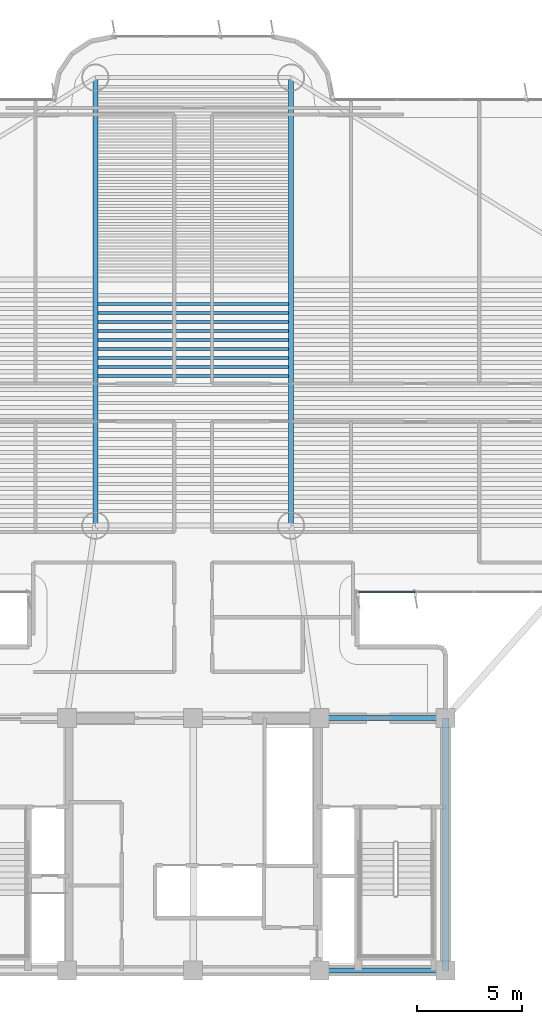
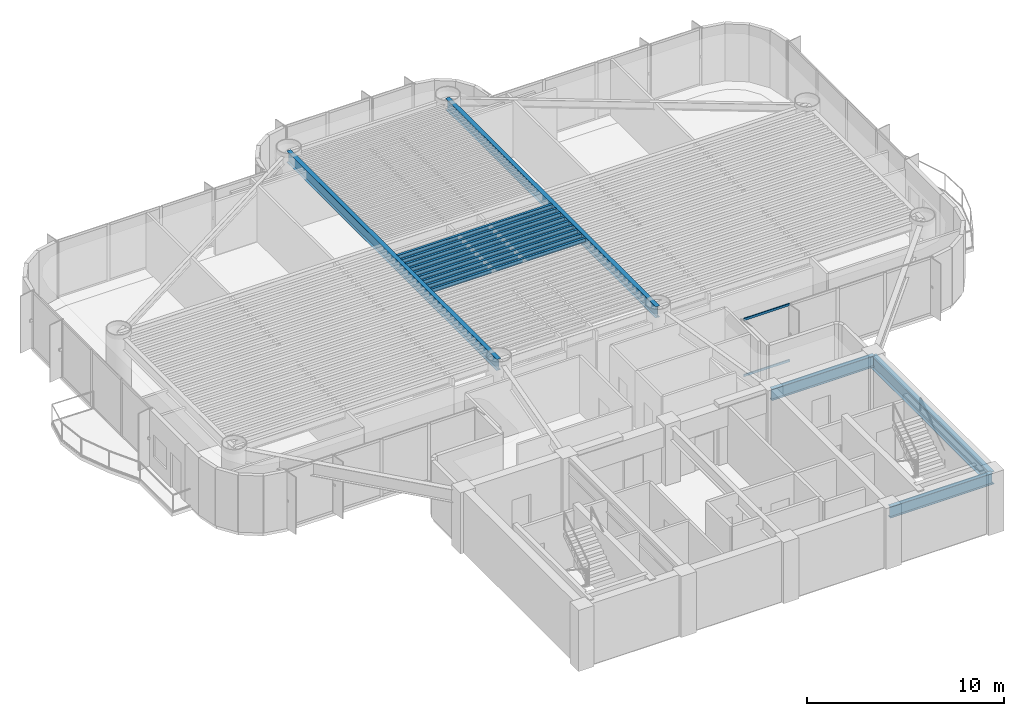
# One storey, part 3 of 16: 14 beams, 2 members, 1 element without a shape of its own.
"""IFC4 building model written with IfcOpenShell, lengths in metres."""

from ifc_helpers import new_model, si_unit, direction, frame, origin, origin_2d, place, context, subcontext, project, spatial, rectangle, i_section, extrude, source, transform, mapped, material, layer, layer_set, material_profile, profile_set, type_object, element, aggregate, save


model = new_model("IFC4")

# Units and contexts
model_context = context("Model", 3, precision=1e-05, world=origin(), true_north=direction((0.0, 1.0)))
body_context = subcontext(model_context, "Body", "Model", "MODEL_VIEW")
ifc_project = project(units=[si_unit("LENGTHUNIT", "METRE"), si_unit("AREAUNIT", "SQUARE_METRE"), si_unit("VOLUMEUNIT", "CUBIC_METRE"), si_unit("PLANEANGLEUNIT", "RADIAN"), si_unit("MASSUNIT", "GRAM", prefix="KILO")], contexts=[model_context])

# Site, building, storey
site_placement = place(None, origin())
site = spatial("IfcSite", under=ifc_project, at=site_placement, CompositionType="ELEMENT")
building_placement = place(site_placement, origin())
building = spatial("IfcBuilding", under=site, at=building_placement, Name="Brelvock Crest Care Tower", CompositionType="ELEMENT")
storey_placement = place(building_placement, frame((0.0, 0.0, 112.5)))
storey = spatial("IfcBuildingStorey", under=building, at=storey_placement, Name="L28", CompositionType="ELEMENT", Elevation=112.5)

# Beams
ifc_material_1 = material(Name="Steel Grade 350", Category="steel")
ifc_material_profile_1 = material_profile(ifc_material_1, i_section(OverallWidth=0.25, OverallDepth=0.699951171875, WebThickness=0.011962890625, FlangeThickness=0.02001953125, at=origin_2d()), Name="700WB150")
ifc_profile_set_1 = profile_set([ifc_material_profile_1], Name="Steel Grade 350")
beam_type_1 = type_object("IfcBeamType", Name="BM-G4", PredefinedType="BEAM", material=ifc_profile_set_1)
shared_shape_1 = source(origin(), body_context, "Body", "SweptSolid", [
    extrude(i_section(OverallWidth=0.25, OverallDepth=0.699951171875, WebThickness=0.011962890625, FlangeThickness=0.02001953125, at=origin_2d()), origin(), (0.0, 0.0, 1.0), 6.0),
])
for number, where, z_axis, x_axis, name in (
    (1, (42.0, 6.0, 3.179931640625), (1.0, 0.0, 0.0), (0.0, 1.0, 0.0), "BM-CORES-L28-4"),
    (2, (42.0, 18.0, 3.179931640625), (1.0, 0.0, 0.0), (0.0, 1.0, 0.0), "BM-COREN-L28-4"),
):
    element("IfcBeam", number, at=place(storey_placement, frame(where, z_axis=z_axis, x_axis=x_axis)), inside=storey, type_object=beam_type_1, Name=name, PredefinedType="BEAM", context=body_context, shape_type="MappedRepresentation", body=[
        mapped(shared_shape_1, transform((0.0, 0.0, 0.0), x_axis=(1.0, 0.0, 0.0), y_axis=(0.0, 1.0, 0.0), z_axis=(0.0, 0.0, 1.0), scale=1.0)),
    ])
ifc_material_profile_2 = material_profile(ifc_material_1, i_section(OverallWidth=0.300048828125, OverallDepth=0.800048828125, WebThickness=0.013916015625, FlangeThickness=0.02197265625, at=origin_2d()), Name="800WB192")
ifc_profile_set_2 = profile_set([ifc_material_profile_2], Name="Steel Grade 350")
beam_type_2 = type_object("IfcBeamType", Name="BM-G5", PredefinedType="BEAM", material=ifc_profile_set_2)
shared_shape_2 = source(origin(), body_context, "Body", "SweptSolid", [
    extrude(i_section(OverallWidth=0.300048828125, OverallDepth=0.800048828125, WebThickness=0.013916015625, FlangeThickness=0.02197265625, at=origin_2d()), origin(), (0.0, 0.0, 1.0), 12.0),
])
beam_placement = place(storey_placement, frame((48.0, 6.0, 3.1298828125), z_axis=(0.0, 1.0, 0.0), x_axis=(-1.0, 0.0, 0.0)))
element("IfcBeam", 3, at=beam_placement, inside=storey, type_object=beam_type_2, Name="BM-COREX-L28-5", PredefinedType="BEAM", context=body_context, shape_type="MappedRepresentation", body=[
    mapped(shared_shape_2, transform((0.0, 0.0, 0.0), x_axis=(1.0, 0.0, 0.0), y_axis=(0.0, 1.0, 0.0), z_axis=(0.0, 0.0, 1.0), scale=1.0)),
])
ifc_material_profile_3 = material_profile(ifc_material_1, i_section(OverallWidth=0.14599609375, OverallDepth=0.256103515625, WebThickness=0.00634765625, FlangeThickness=0.010986328125, FilletRadius=0.0087890625, at=origin_2d()), Name="250UB37.3")
ifc_profile_set_3 = profile_set([ifc_material_profile_3], Name="Steel Grade 350")
beam_type_3 = type_object("IfcBeamType", Name="BM-J3", PredefinedType="JOIST", material=ifc_profile_set_3)
shared_shape_3 = source(origin(), body_context, "Body", "SweptSolid", [
    extrude(i_section(OverallWidth=0.14599609375, OverallDepth=0.256103515625, WebThickness=0.00634765625, FlangeThickness=0.010986328125, FilletRadius=0.0087890625, at=origin_2d()), origin(), (0.0, 0.0, 1.0), 9.06982421875),
])
for number, where, z_axis, x_axis, name in (
    (4, (31.465087890625, 34.2607421875, 3.402099609375), (1.0, 0.0, 0.0), (0.0, 1.0, 0.0), "BM-JH-L28-16"),
    (5, (31.465087890625, 34.687744140625, 3.402099609375), (1.0, 0.0, 0.0), (0.0, 1.0, 0.0), "BM-JH-L28-17"),
    (6, (31.465087890625, 35.11474609375, 3.402099609375), (1.0, 0.0, 0.0), (0.0, 1.0, 0.0), "BM-JH-L28-18"),
    (7, (31.465087890625, 35.541748046875, 3.402099609375), (1.0, 0.0, 0.0), (0.0, 1.0, 0.0), "BM-JH-L28-19"),
    (8, (31.465087890625, 35.96875, 3.402099609375), (1.0, 0.0, 0.0), (0.0, 1.0, 0.0), "BM-JH-L28-20"),
    (9, (31.465087890625, 36.39599609375, 3.402099609375), (1.0, 0.0, 0.0), (0.0, 1.0, 0.0), "BM-JH-L28-21"),
    (10, (31.465087890625, 36.822998046875, 3.402099609375), (1.0, 0.0, 0.0), (0.0, 1.0, 0.0), "BM-JH-L28-22"),
    (11, (31.465087890625, 37.25, 3.402099609375), (1.0, 0.0, 0.0), (0.0, 1.0, 0.0), "BM-JH-L28-23"),
    (12, (31.465087890625, 37.677001953125, 3.402099609375), (1.0, 0.0, 0.0), (0.0, 1.0, 0.0), "BM-JH-L28-24"),
):
    element("IfcBeam", number, at=place(storey_placement, frame(where, z_axis=z_axis, x_axis=x_axis)), inside=storey, type_object=beam_type_3, Name=name, PredefinedType="JOIST", context=body_context, shape_type="MappedRepresentation", body=[
        mapped(shared_shape_3, transform((0.0, 0.0, 0.0), x_axis=(1.0, 0.0, 0.0), y_axis=(0.0, 1.0, 0.0), z_axis=(0.0, 0.0, 1.0), scale=1.0)),
    ])
shared_shape_4 = source(origin(), body_context, "Body", "SweptSolid", [
    extrude(i_section(OverallWidth=0.25, OverallDepth=0.699951171875, WebThickness=0.011962890625, FlangeThickness=0.02001953125, at=origin_2d()), origin(), (0.0, 0.0, 1.0), 21.300048828125),
])
for number, where, z_axis, x_axis, name in (
    (13, (31.35009765625, 27.14990234375, 3.179931640625), (0.0, 1.0, 0.0), (-1.0, 0.0, 0.0), "BM-TWR-L28-09"),
    (14, (40.64990234375, 27.14990234375, 3.179931640625), (0.0, 1.0, 0.0), (-1.0, 0.0, 0.0), "BM-TWR-L28-10"),
):
    element("IfcBeam", number, at=place(storey_placement, frame(where, z_axis=z_axis, x_axis=x_axis)), inside=storey, type_object=beam_type_1, Name=name, PredefinedType="BEAM", context=body_context, shape_type="MappedRepresentation", body=[
        mapped(shared_shape_4, transform((0.0, 0.0, 0.0), x_axis=(1.0, 0.0, 0.0), y_axis=(0.0, 1.0, 0.0), z_axis=(0.0, 0.0, 1.0), scale=1.0)),
    ])

# Curtain wall, members
ifc_material_2 = material(Name="Dark Glass Double Glazed Low-E", Category="glass")
ifc_layer = layer(ifc_material_2, 0.2099609375, Name="CWS-3")
ifc_layer_set = layer_set([ifc_layer], Name="Dark Glass Double Glazed Low-E")
curtain_wall_type = type_object("IfcCurtainWallType", Name="CWS-3", PredefinedType="NOTDEFINED", material=ifc_layer_set)
curtain_wall_placement = place(storey_placement, origin())
curtain_wall = element("IfcCurtainWall", 15, at=curtain_wall_placement, inside=storey, type_object=curtain_wall_type, Name="L28 Curtain Wall E44", PredefinedType="NOTDEFINED")
ifc_material_3 = material(Name="Aluminium 6063-T6", Category="aluminium")
ifc_material_profile_4 = material_profile(ifc_material_3, rectangle(XDim=0.06005859375, YDim=0.139892578125, at=origin_2d()), Name="ALU60x140")
ifc_profile_set_4 = profile_set([ifc_material_profile_4], Name="Aluminium 6063-T6")
member_type = type_object("IfcMemberType", Name="CWT-2", PredefinedType="USERDEFINED", material=ifc_profile_set_4)
shared_shape_5 = source(origin(), body_context, "Body", "SweptSolid", [
    extrude(rectangle(XDim=0.06005859375, YDim=0.139892578125, at=origin_2d()), origin(), (0.0, 0.0, 1.0), 2.684814453125),
])
member_1_placement = place(storey_placement, frame((46.544921875, 24.0, 0.030029296875), z_axis=(-1.0, 0.0, 0.0), x_axis=(0.0, -1.0, 0.0)))
member_1 = element("IfcMember", 16, at=member_1_placement, type_object=member_type, Name="CW-3 transom 4.1", ObjectType="TRANSOM", PredefinedType="USERDEFINED", context=body_context, shape_type="MappedRepresentation", body=[
    mapped(shared_shape_5, transform((0.0, 0.0, 0.0), x_axis=(1.0, 0.0, 0.0), y_axis=(0.0, 1.0, 0.0), z_axis=(0.0, 0.0, 1.0), scale=1.0)),
])
member_2_placement = place(storey_placement, frame((46.544921875, 24.0, 3.5), z_axis=(-1.0, 0.0, 0.0), x_axis=(0.0, -1.0, 0.0)))
member_2 = element("IfcMember", 17, at=member_2_placement, type_object=member_type, Name="CW-3 transom 4.2", ObjectType="TRANSOM", PredefinedType="USERDEFINED", context=body_context, shape_type="MappedRepresentation", body=[
    mapped(shared_shape_5, transform((0.0, 0.0, 0.0), x_axis=(1.0, 0.0, 0.0), y_axis=(0.0, 1.0, 0.0), z_axis=(0.0, 0.0, 1.0), scale=1.0)),
])
aggregate(curtain_wall, [member_1, member_2])

save(model, "model.ifc")
